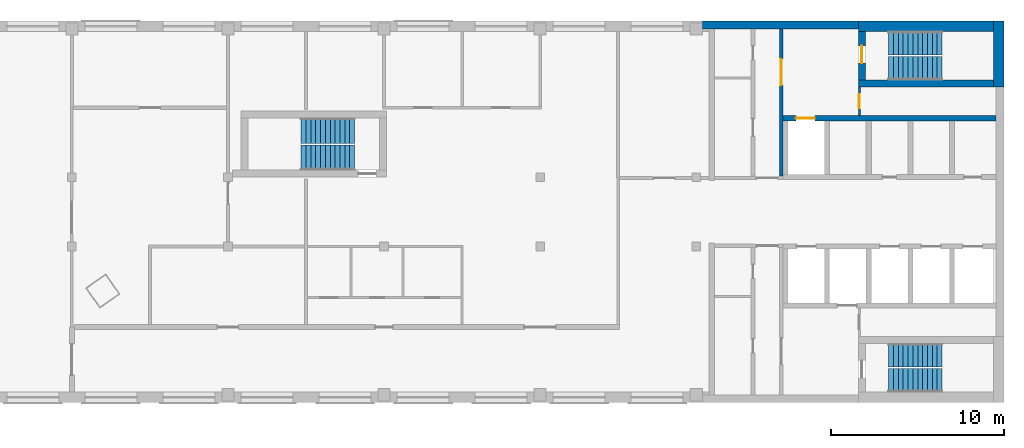
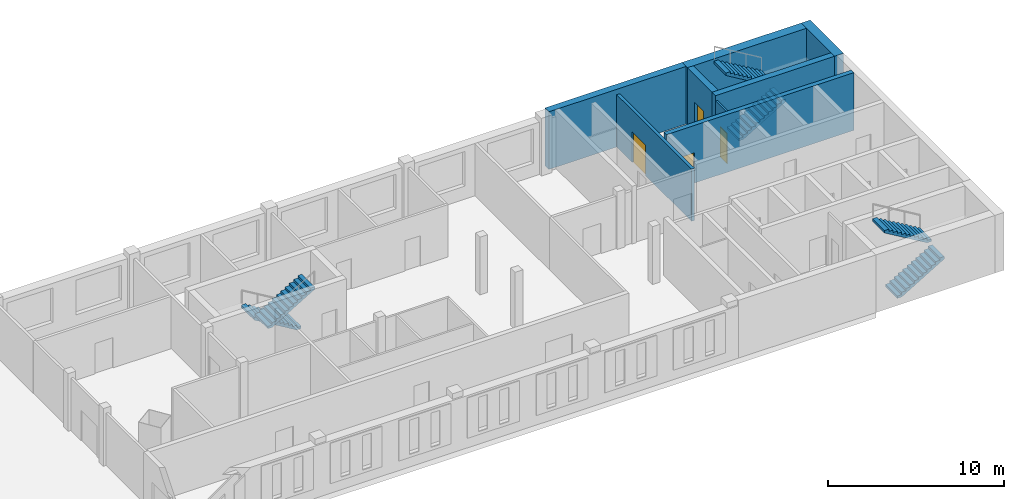
# One storey, part 4 of 5: 8 walls, 6 stair flights, 4 doors, 4 openings, 3 elements without a shape of their own.
"""IFC4 building model written with IfcOpenShell, lengths in metres."""

from ifc_helpers import new_model, si_unit, direction, frame, frame_2d, origin, place, context, subcontext, project, spatial, polyline, rectangle, outline, extrude, material, layer, layer_set, type_object, element, fill, aggregate, save


model = new_model("IFC4")

# Units and contexts
model_context = context("Model", 3, precision=1e-05, world=origin(), true_north=direction((0.0, 1.0)))
body_context = subcontext(model_context, "Body", "Model", "MODEL_VIEW")
ifc_project = project(units=[si_unit("LENGTHUNIT", "METRE"), si_unit("AREAUNIT", "SQUARE_METRE"), si_unit("VOLUMEUNIT", "CUBIC_METRE"), si_unit("PLANEANGLEUNIT", "RADIAN"), si_unit("MASSUNIT", "GRAM", prefix="KILO")], contexts=[model_context])

# Site, building, storey
site_placement = place(None, origin())
site = spatial("IfcSite", under=ifc_project, at=site_placement, CompositionType="ELEMENT")
building_placement = place(site_placement, origin())
building = spatial("IfcBuilding", under=site, at=building_placement, Name="Skarvind Civic Tower", CompositionType="ELEMENT")
storey_placement = place(building_placement, frame((0.0, 0.0, 245.5)))
storey = spatial("IfcBuildingStorey", under=building, at=storey_placement, Name="L58", CompositionType="ELEMENT", Elevation=245.5)

# Wall, opening, door
ifc_material_1 = material(Name="Fire-rated masonry partition", Category="masonry")
ifc_layer_1 = layer(ifc_material_1, 0.199951171875)
ifc_layer_set_1 = layer_set([ifc_layer_1], Name="Core enclosure wall 200")
wall_type_1 = type_object("IfcWallType", Name="Core enclosure wall 200", PredefinedType="PARTITIONING", material=ifc_layer_set_1)
wall_1_placement = place(storey_placement, frame((95.14990234375, 130.050048828125, 0.0), z_axis=(0.0, 0.0, 1.0), x_axis=(0.0, 1.0, 0.0)))
wall_1 = element("IfcWall", 1, at=wall_1_placement, inside=storey, type_object=wall_type_1, Name="Core wall C1", PredefinedType="PARTITIONING", context=body_context, shape_type="SweptSolid", body=[
    extrude(rectangle(XDim=8.5, YDim=0.199951171875, at=frame_2d((4.25, 0.0))), origin(), (0.0, 0.0, 1.0), 3.625),
])
opening_1_placement = place(wall_1_placement, frame((5.25, 0.0, 0.0)))
opening_1 = element("IfcOpeningElement", 2, at=opening_1_placement, cuts=wall_1, Name="Opening D-L58-C1-14", PredefinedType="OPENING", context=body_context, shape_type="SweptSolid", body=[
    extrude(rectangle(XDim=1.5, YDim=2.10009765625, at=frame_2d((0.75, 1.050048828125))), frame((0.0, 0.10986328125, 0.0), z_axis=(0.0, -1.0, 0.0), x_axis=(1.0, 0.0, 0.0)), (0.0, 0.0, 1.0), 0.219970703125),
])
ifc_material_2 = material(Name="Fire-rated steel door", Category="steel")
door_type_1 = type_object("IfcDoorType", Name="Fire door 1500", OperationType="NOTDEFINED", PredefinedType="DOOR", material=ifc_material_2)
door_1_placement = place(opening_1_placement, origin())
door_1 = element("IfcDoor", 3, at=door_1_placement, inside=storey, type_object=door_type_1, Name="Fire door", OperationType="DOUBLE_DOOR_SINGLE_SWING", OverallHeight=2.10009765625, OverallWidth=1.5, PredefinedType="DOOR", context=body_context, shape_type="SweptSolid", body=[
    extrude(rectangle(XDim=1.5, YDim=2.10009765625, at=frame_2d((0.75, 1.050048828125))), frame((0.0, 0.02490234375, 0.0), z_axis=(0.0, -1.0, 0.0), x_axis=(1.0, 0.0, 0.0)), (0.0, 0.0, 1.0), 0.050048828125),
])
fill(opening_1, door_1)

ifc_material_3 = material(Name="Concrete C60", Category="concrete")
ifc_layer_2 = layer(ifc_material_3, 0.300048828125)
ifc_layer_set_2 = layer_set([ifc_layer_2], Name="Core wall 300 C60")
wall_type_2 = type_object("IfcWallType", Name="Core wall 300 C60", PredefinedType="SHEAR", material=ifc_layer_set_2)
wall_2_placement = place(storey_placement, frame((107.550048828125, 133.39990234375, 0.0), z_axis=(0.0, 0.0, 1.0), x_axis=(-1.0, 0.0, 0.0)))
wall_2 = element("IfcWall", 4, at=wall_2_placement, inside=storey, type_object=wall_type_2, Name="Core wall C1 south lift row back L58", PredefinedType="SHEAR", context=body_context, shape_type="SweptSolid", body=[
    extrude(rectangle(XDim=12.300048828125, YDim=0.300048828125, at=frame_2d((6.14990234375, 0.0))), origin(), (0.0, 0.0, 1.0), 4.0),
])
opening_2_placement = place(wall_2_placement, frame((10.449951171875, 0.0, 0.0)))
opening_2 = element("IfcOpeningElement", 5, at=opening_2_placement, cuts=wall_2, Name="Opening LD60110", PredefinedType="OPENING", context=body_context, shape_type="SweptSolid", body=[
    extrude(rectangle(XDim=1.10009765625, YDim=2.10009765625, at=frame_2d((0.550048828125, 1.050048828125))), frame((0.0, 0.159912109375, 0.0), z_axis=(0.0, -1.0, 0.0), x_axis=(1.0, 0.0, 0.0)), (0.0, 0.0, 1.0), 0.320068359375),
])
ifc_material_4 = material(Name="Stainless steel landing door", Category="steel")
door_type_2 = type_object("IfcDoorType", Name="Lift landing door 1100", OperationType="DOUBLE_DOOR_SLIDING", PredefinedType="DOOR", material=ifc_material_4)
door_2_placement = place(opening_2_placement, origin())
door_2 = element("IfcDoor", 6, at=door_2_placement, inside=storey, type_object=door_type_2, Name="Lift landing door", OperationType="DOUBLE_DOOR_SLIDING", OverallHeight=2.10009765625, OverallWidth=1.10009765625, PredefinedType="DOOR", context=body_context, shape_type="SweptSolid", body=[
    extrude(rectangle(XDim=1.10009765625, YDim=2.10009765625, at=frame_2d((0.550048828125, 1.050048828125))), frame((0.0, 0.02490234375, 0.0), z_axis=(0.0, -1.0, 0.0), x_axis=(1.0, 0.0, 0.0)), (0.0, 0.0, 1.0), 0.050048828125),
])
fill(opening_2, door_2)

# Wall
ifc_layer_3 = layer(ifc_material_3, 0.39990234375)
ifc_layer_set_3 = layer_set([ifc_layer_3], Name="Core wall 400 C60")
wall_type_3 = type_object("IfcWallType", Name="Core wall 400 C60", PredefinedType="SHEAR", material=ifc_layer_set_3)
wall_3_placement = place(storey_placement, frame((107.39990234375, 135.39990234375, 0.0), z_axis=(0.0, 0.0, 1.0), x_axis=(-1.0, 0.0, 0.0)))
element("IfcWall", 7, at=wall_3_placement, inside=storey, type_object=wall_type_3, Name="Core wall C1 south stair inner L58", PredefinedType="SHEAR", context=body_context, shape_type="SweptSolid", body=[
    extrude(rectangle(XDim=7.7998046875, YDim=0.39990234375, at=frame_2d((3.89990234375, 0.0))), origin(), (0.0, 0.0, 1.0), 4.0),
])

# Wall, opening, door
wall_4_placement = place(storey_placement, frame((99.800048828125, 138.39990234375, 0.0), z_axis=(0.0, 0.0, 1.0), x_axis=(0.0, -1.0, 0.0)))
wall_4 = element("IfcWall", 8, at=wall_4_placement, inside=storey, type_object=wall_type_3, Name="Core wall C1 south stair end L58", PredefinedType="SHEAR", context=body_context, shape_type="SweptSolid", body=[
    extrude(rectangle(XDim=2.7998046875, YDim=0.39990234375, at=frame_2d((1.39990234375, 0.0))), origin(), (0.0, 0.0, 1.0), 4.0),
])
opening_3_placement = place(wall_4_placement, frame((0.824951171875, 0.0, 0.0)))
opening_3 = element("IfcOpeningElement", 9, at=opening_3_placement, cuts=wall_4, Name="Opening D-L58-C1-15", PredefinedType="OPENING", context=body_context, shape_type="SweptSolid", body=[
    extrude(rectangle(XDim=1.0, YDim=2.10009765625, at=frame_2d((0.5, 1.050048828125))), frame((0.0, 0.2099609375, 0.0), z_axis=(0.0, -1.0, 0.0), x_axis=(1.0, 0.0, 0.0)), (0.0, 0.0, 1.0), 0.419921875),
])
door_type_3 = type_object("IfcDoorType", Name="Fire door 1000", OperationType="NOTDEFINED", PredefinedType="DOOR", material=ifc_material_2)
door_3_placement = place(opening_3_placement, origin())
door_3 = element("IfcDoor", 10, at=door_3_placement, inside=storey, type_object=door_type_3, Name="Fire door", OperationType="SINGLE_SWING_RIGHT", OverallHeight=2.10009765625, OverallWidth=1.0, PredefinedType="DOOR", context=body_context, shape_type="SweptSolid", body=[
    extrude(rectangle(XDim=1.0, YDim=2.10009765625, at=frame_2d((0.5, 1.050048828125))), frame((0.0, 0.02490234375, 0.0), z_axis=(0.0, -1.0, 0.0), x_axis=(1.0, 0.0, 0.0)), (0.0, 0.0, 1.0), 0.050048828125),
])
fill(opening_3, door_3)

# Walls
ifc_layer_4 = layer(ifc_material_3, 0.449951171875)
ifc_layer_set_4 = layer_set([ifc_layer_4], Name="Core wall 450 C60")
wall_type_4 = type_object("IfcWallType", Name="Core wall 450 C60", PredefinedType="SHEAR", material=ifc_layer_set_4)
wall_5_placement = place(storey_placement, frame((99.60009765625, 138.77490234375, 0.0), z_axis=(0.0, 0.0, 1.0), x_axis=(-1.0, 0.0, 0.0)))
element("IfcWall", 11, at=wall_5_placement, inside=storey, type_object=wall_type_4, Name="Core wall C1 south side L58", PredefinedType="SHEAR", context=body_context, shape_type="SweptSolid", body=[
    extrude(rectangle(XDim=9.0, YDim=0.449951171875, at=frame_2d((4.5, 0.0))), origin(), (0.0, 0.0, 1.0), 4.0),
])
ifc_layer_5 = layer(ifc_material_3, 0.60009765625)
ifc_layer_set_5 = layer_set([ifc_layer_5], Name="Core wall 600 C60")
wall_type_5 = type_object("IfcWallType", Name="Core wall 600 C60", PredefinedType="SHEAR", material=ifc_layer_set_5)
wall_6_placement = place(storey_placement, frame((107.699951171875, 139.0, 0.0), z_axis=(0.0, 0.0, 1.0), x_axis=(0.0, -1.0, 0.0)))
element("IfcWall", 12, at=wall_6_placement, inside=storey, type_object=wall_type_5, Name="Core wall C1 tip at the south stair L58", PredefinedType="SHEAR", context=body_context, shape_type="SweptSolid", body=[
    extrude(rectangle(XDim=3.800048828125, YDim=0.60009765625, at=frame_2d((1.89990234375, 0.0))), origin(), (0.0, 0.0, 1.0), 4.0),
])
wall_7_placement = place(storey_placement, frame((107.39990234375, 138.699951171875, 0.0), z_axis=(0.0, 0.0, 1.0), x_axis=(-1.0, 0.0, 0.0)))
element("IfcWall", 13, at=wall_7_placement, inside=storey, type_object=wall_type_5, Name="Core wall C1 south side at the stair L58", PredefinedType="SHEAR", context=body_context, shape_type="SweptSolid", body=[
    extrude(rectangle(XDim=7.7998046875, YDim=0.60009765625, at=frame_2d((3.89990234375, 0.0))), origin(), (0.0, 0.0, 1.0), 4.0),
])

# Wall, opening, door
ifc_layer_6 = layer(ifc_material_1, 0.125)
ifc_layer_set_6 = layer_set([ifc_layer_6], Name="Riser wall 125")
wall_type_6 = type_object("IfcWallType", Name="Riser wall 125", PredefinedType="PARTITIONING", material=ifc_layer_set_6)
wall_8_placement = place(storey_placement, frame((99.66259765625, 133.550048828125, 0.0), z_axis=(0.0, 0.0, 1.0), x_axis=(0.0, 1.0, 0.0)))
wall_8 = element("IfcWall", 14, at=wall_8_placement, inside=storey, type_object=wall_type_6, Name="Core wall C1", PredefinedType="PARTITIONING", context=body_context, shape_type="SweptSolid", body=[
    extrude(rectangle(XDim=1.64990234375, YDim=0.125, at=frame_2d((0.824951171875, 0.0))), origin(), (0.0, 0.0, 1.0), 3.625),
])
opening_4_placement = place(wall_8_placement, frame((0.425048828125, 0.0, 0.0)))
opening_4 = element("IfcOpeningElement", 15, at=opening_4_placement, cuts=wall_8, Name="Opening D-L58-C1-16", PredefinedType="OPENING", context=body_context, shape_type="SweptSolid", body=[
    extrude(rectangle(XDim=0.800048828125, YDim=2.10009765625, at=frame_2d((0.39990234375, 1.050048828125))), frame((0.0, 0.072509765625, 0.0), z_axis=(0.0, -1.0, 0.0), x_axis=(1.0, 0.0, 0.0)), (0.0, 0.0, 1.0), 0.14501953125),
])
door_type_4 = type_object("IfcDoorType", Name="Core riser door 800", OperationType="NOTDEFINED", PredefinedType="DOOR", material=ifc_material_2)
door_4_placement = place(opening_4_placement, origin())
door_4 = element("IfcDoor", 16, at=door_4_placement, inside=storey, type_object=door_type_4, Name="Riser door", OperationType="SINGLE_SWING_LEFT", OverallHeight=2.10009765625, OverallWidth=0.800048828125, PredefinedType="DOOR", context=body_context, shape_type="SweptSolid", body=[
    extrude(rectangle(XDim=0.800048828125, YDim=2.10009765625, at=frame_2d((0.39990234375, 1.050048828125))), frame((0.0, 0.02490234375, 0.0), z_axis=(0.0, -1.0, 0.0), x_axis=(1.0, 0.0, 0.0)), (0.0, 0.0, 1.0), 0.050048828125),
])
fill(opening_4, door_4)

# Stair, stair flights
ifc_material_5 = material(Name="Concrete C40/50", Category="concrete")
stair_type_1 = type_object("IfcStairType", Name="Exit stair 1450, half-turn, concrete", PredefinedType="HALF_TURN_STAIR", material=ifc_material_5)
stair_1_placement = place(storey_placement, origin())
stair_1 = element("IfcStair", 17, at=stair_1_placement, inside=storey, type_object=stair_type_1, Name="Exit stair CM", PredefinedType="HALF_TURN_STAIR")
stair_flight_type_1 = type_object("IfcStairFlightType", Name="Stair flight 1450, concrete", PredefinedType="STRAIGHT", material=ifc_material_5)
stair_flight_1_placement = place(storey_placement, frame((70.550048828125, 132.675048828125, 0.0), z_axis=(0.0, 0.0, 1.0), x_axis=(-1.0, 0.0, 0.0)))
stair_flight_1 = element("IfcStairFlight", 18, at=stair_flight_1_placement, type_object=stair_flight_type_1, Name="ST-CM flight 1", NumberOfRisers=12, NumberOfTreads=11, PredefinedType="STRAIGHT", RiserHeight=0.166666667, TreadLength=0.28, context=body_context, shape_type="SweptSolid", body=[
    extrude(outline(polyline([(0.0, 0.0), (0.0, 0.166748046875), (0.280029296875, 0.166748046875), (0.280029296875, 0.333251953125), (0.56005859375, 0.333251953125), (0.56005859375, 0.5), (0.840087890625, 0.5), (0.840087890625, 0.666748046875), (1.1201171875, 0.666748046875), (1.1201171875, 0.833251953125), (1.39990234375, 0.833251953125), (1.39990234375, 1.0), (1.679931640625, 1.0), (1.679931640625, 1.166748046875), (1.9599609375, 1.166748046875), (1.9599609375, 1.333251953125), (2.239990234375, 1.333251953125), (2.239990234375, 1.5), (2.52001953125, 1.5), (2.52001953125, 1.666748046875), (2.800048828125, 1.666748046875), (2.800048828125, 1.833251953125), (3.080078125, 1.833251953125), (3.080078125, 2.0), (3.080078125, 1.658935546875), (0.29296875, 0.0), (0.0, 0.0)])), frame((0.0, 0.72509765625, 0.0), z_axis=(0.0, -1.0, 0.0), x_axis=(1.0, 0.0, 0.0)), (0.0, 0.0, 1.0), 1.449951171875),
])
stair_flight_2_placement = place(storey_placement, frame((67.469970703125, 131.125, 2.0), z_axis=(0.0, 0.0, 1.0), x_axis=(1.0, 0.0, 0.0)))
stair_flight_2 = element("IfcStairFlight", 19, at=stair_flight_2_placement, type_object=stair_flight_type_1, Name="ST-CM flight 2", NumberOfRisers=12, NumberOfTreads=11, PredefinedType="STRAIGHT", RiserHeight=0.166666667, TreadLength=0.28, context=body_context, shape_type="SweptSolid", body=[
    extrude(outline(polyline([(0.0, 0.0), (0.0, 0.166748046875), (0.280029296875, 0.166748046875), (0.280029296875, 0.333251953125), (0.56005859375, 0.333251953125), (0.56005859375, 0.5), (0.840087890625, 0.5), (0.840087890625, 0.666748046875), (1.1201171875, 0.666748046875), (1.1201171875, 0.833251953125), (1.39990234375, 0.833251953125), (1.39990234375, 1.0), (1.679931640625, 1.0), (1.679931640625, 1.166748046875), (1.9599609375, 1.166748046875), (1.9599609375, 1.333251953125), (2.239990234375, 1.333251953125), (2.239990234375, 1.5), (2.52001953125, 1.5), (2.52001953125, 1.666748046875), (2.800048828125, 1.666748046875), (2.800048828125, 1.833251953125), (3.080078125, 1.833251953125), (3.080078125, 2.0), (3.080078125, 1.658935546875), (0.29296875, 0.0), (0.0, 0.0)])), frame((0.0, 0.72509765625, 0.0), z_axis=(0.0, -1.0, 0.0), x_axis=(1.0, 0.0, 0.0)), (0.0, 0.0, 1.0), 1.449951171875),
])
aggregate(stair_1, [stair_flight_1, stair_flight_2])

stair_type_2 = type_object("IfcStairType", Name="Exit stair, half-turn, concrete", PredefinedType="HALF_TURN_STAIR", material=ifc_material_5)
stair_2_placement = place(storey_placement, origin())
stair_2 = element("IfcStair", 20, at=stair_2_placement, inside=storey, type_object=stair_type_2, Name="Exit stair C1S", PredefinedType="HALF_TURN_STAIR")
stair_flight_type_2 = type_object("IfcStairFlightType", Name="Stair flight, concrete", PredefinedType="STRAIGHT", material=ifc_material_5)
stair_flight_3_placement = place(storey_placement, frame((101.35009765625, 136.27490234375, 0.0), z_axis=(0.0, 0.0, 1.0), x_axis=(1.0, 0.0, 0.0)))
stair_flight_3 = element("IfcStairFlight", 21, at=stair_flight_3_placement, type_object=stair_flight_type_2, Name="ST-C1S flight 1", NumberOfRisers=12, NumberOfTreads=11, PredefinedType="STRAIGHT", RiserHeight=0.166666667, TreadLength=0.28, context=body_context, shape_type="SweptSolid", body=[
    extrude(outline(polyline([(0.0, 0.0), (0.0, 0.166748046875), (0.280029296875, 0.166748046875), (0.280029296875, 0.333251953125), (0.56005859375, 0.333251953125), (0.56005859375, 0.5), (0.840087890625, 0.5), (0.840087890625, 0.666748046875), (1.1201171875, 0.666748046875), (1.1201171875, 0.833251953125), (1.39990234375, 0.833251953125), (1.39990234375, 1.0), (1.679931640625, 1.0), (1.679931640625, 1.166748046875), (1.9599609375, 1.166748046875), (1.9599609375, 1.333251953125), (2.239990234375, 1.333251953125), (2.239990234375, 1.5), (2.52001953125, 1.5), (2.52001953125, 1.666748046875), (2.800048828125, 1.666748046875), (2.800048828125, 1.833251953125), (3.080078125, 1.833251953125), (3.080078125, 2.0), (3.080078125, 1.658935546875), (0.29296875, 0.0), (0.0, 0.0)])), frame((0.0, 0.675048828125, 0.0), z_axis=(0.0, -1.0, 0.0), x_axis=(1.0, 0.0, 0.0)), (0.0, 0.0, 1.0), 1.35009765625),
])
stair_flight_4_placement = place(storey_placement, frame((104.429931640625, 137.72509765625, 2.0), z_axis=(0.0, 0.0, 1.0), x_axis=(-1.0, 0.0, 0.0)))
stair_flight_4 = element("IfcStairFlight", 22, at=stair_flight_4_placement, type_object=stair_flight_type_2, Name="ST-C1S flight 2", NumberOfRisers=12, NumberOfTreads=11, PredefinedType="STRAIGHT", RiserHeight=0.166666667, TreadLength=0.28, context=body_context, shape_type="SweptSolid", body=[
    extrude(outline(polyline([(0.0, 0.0), (0.0, 0.166748046875), (0.280029296875, 0.166748046875), (0.280029296875, 0.333251953125), (0.56005859375, 0.333251953125), (0.56005859375, 0.5), (0.840087890625, 0.5), (0.840087890625, 0.666748046875), (1.1201171875, 0.666748046875), (1.1201171875, 0.833251953125), (1.39990234375, 0.833251953125), (1.39990234375, 1.0), (1.679931640625, 1.0), (1.679931640625, 1.166748046875), (1.9599609375, 1.166748046875), (1.9599609375, 1.333251953125), (2.239990234375, 1.333251953125), (2.239990234375, 1.5), (2.52001953125, 1.5), (2.52001953125, 1.666748046875), (2.800048828125, 1.666748046875), (2.800048828125, 1.833251953125), (3.080078125, 1.833251953125), (3.080078125, 2.0), (3.080078125, 1.658935546875), (0.29296875, 0.0), (0.0, 0.0)])), frame((0.0, 0.675048828125, 0.0), z_axis=(0.0, -1.0, 0.0), x_axis=(1.0, 0.0, 0.0)), (0.0, 0.0, 1.0), 1.35009765625),
])
aggregate(stair_2, [stair_flight_3, stair_flight_4])

stair_3_placement = place(storey_placement, origin())
stair_3 = element("IfcStair", 23, at=stair_3_placement, inside=storey, type_object=stair_type_2, Name="Exit stair C1N", PredefinedType="HALF_TURN_STAIR")
stair_flight_5_placement = place(storey_placement, frame((101.35009765625, 118.27490234375, 0.0), z_axis=(0.0, 0.0, 1.0), x_axis=(1.0, 0.0, 0.0)))
stair_flight_5 = element("IfcStairFlight", 24, at=stair_flight_5_placement, type_object=stair_flight_type_2, Name="ST-C1N flight 1", NumberOfRisers=12, NumberOfTreads=11, PredefinedType="STRAIGHT", RiserHeight=0.166666667, TreadLength=0.28, context=body_context, shape_type="SweptSolid", body=[
    extrude(outline(polyline([(0.0, 0.0), (0.0, 0.166748046875), (0.280029296875, 0.166748046875), (0.280029296875, 0.333251953125), (0.56005859375, 0.333251953125), (0.56005859375, 0.5), (0.840087890625, 0.5), (0.840087890625, 0.666748046875), (1.1201171875, 0.666748046875), (1.1201171875, 0.833251953125), (1.39990234375, 0.833251953125), (1.39990234375, 1.0), (1.679931640625, 1.0), (1.679931640625, 1.166748046875), (1.9599609375, 1.166748046875), (1.9599609375, 1.333251953125), (2.239990234375, 1.333251953125), (2.239990234375, 1.5), (2.52001953125, 1.5), (2.52001953125, 1.666748046875), (2.800048828125, 1.666748046875), (2.800048828125, 1.833251953125), (3.080078125, 1.833251953125), (3.080078125, 2.0), (3.080078125, 1.658935546875), (0.29296875, 0.0), (0.0, 0.0)])), frame((0.0, 0.675048828125, 0.0), z_axis=(0.0, -1.0, 0.0), x_axis=(1.0, 0.0, 0.0)), (0.0, 0.0, 1.0), 1.35009765625),
])
stair_flight_6_placement = place(storey_placement, frame((104.429931640625, 119.72509765625, 2.0), z_axis=(0.0, 0.0, 1.0), x_axis=(-1.0, 0.0, 0.0)))
stair_flight_6 = element("IfcStairFlight", 25, at=stair_flight_6_placement, type_object=stair_flight_type_2, Name="ST-C1N flight 2", NumberOfRisers=12, NumberOfTreads=11, PredefinedType="STRAIGHT", RiserHeight=0.166666667, TreadLength=0.28, context=body_context, shape_type="SweptSolid", body=[
    extrude(outline(polyline([(0.0, 0.0), (0.0, 0.166748046875), (0.280029296875, 0.166748046875), (0.280029296875, 0.333251953125), (0.56005859375, 0.333251953125), (0.56005859375, 0.5), (0.840087890625, 0.5), (0.840087890625, 0.666748046875), (1.1201171875, 0.666748046875), (1.1201171875, 0.833251953125), (1.39990234375, 0.833251953125), (1.39990234375, 1.0), (1.679931640625, 1.0), (1.679931640625, 1.166748046875), (1.9599609375, 1.166748046875), (1.9599609375, 1.333251953125), (2.239990234375, 1.333251953125), (2.239990234375, 1.5), (2.52001953125, 1.5), (2.52001953125, 1.666748046875), (2.800048828125, 1.666748046875), (2.800048828125, 1.833251953125), (3.080078125, 1.833251953125), (3.080078125, 2.0), (3.080078125, 1.658935546875), (0.29296875, 0.0), (0.0, 0.0)])), frame((0.0, 0.675048828125, 0.0), z_axis=(0.0, -1.0, 0.0), x_axis=(1.0, 0.0, 0.0)), (0.0, 0.0, 1.0), 1.35009765625),
])
aggregate(stair_3, [stair_flight_5, stair_flight_6])

save(model, "model.ifc")
